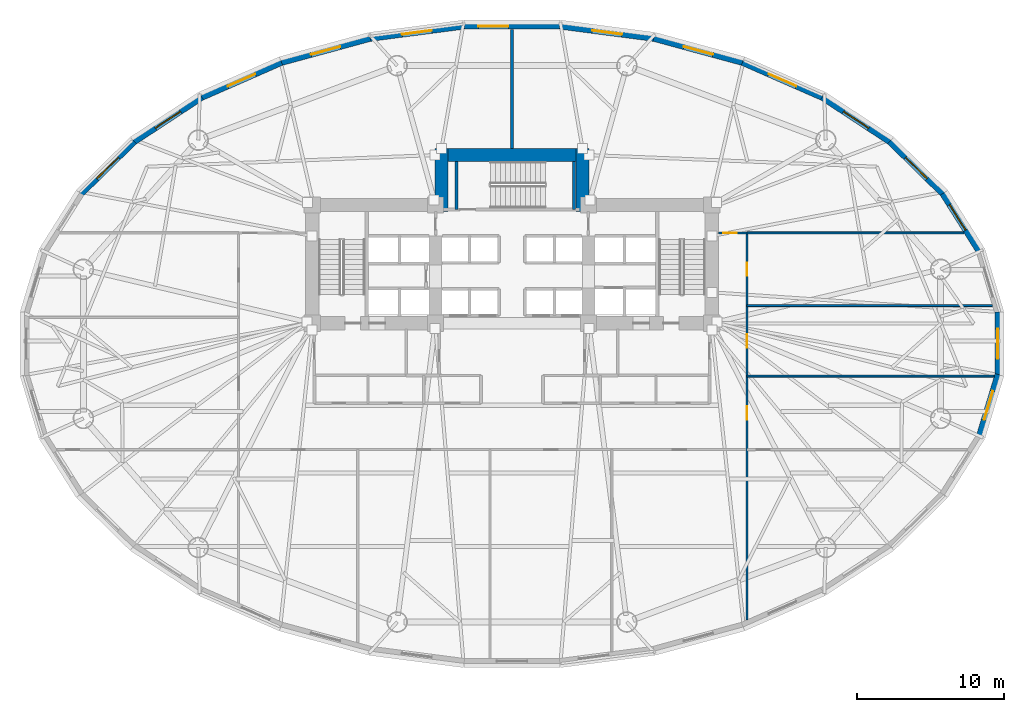
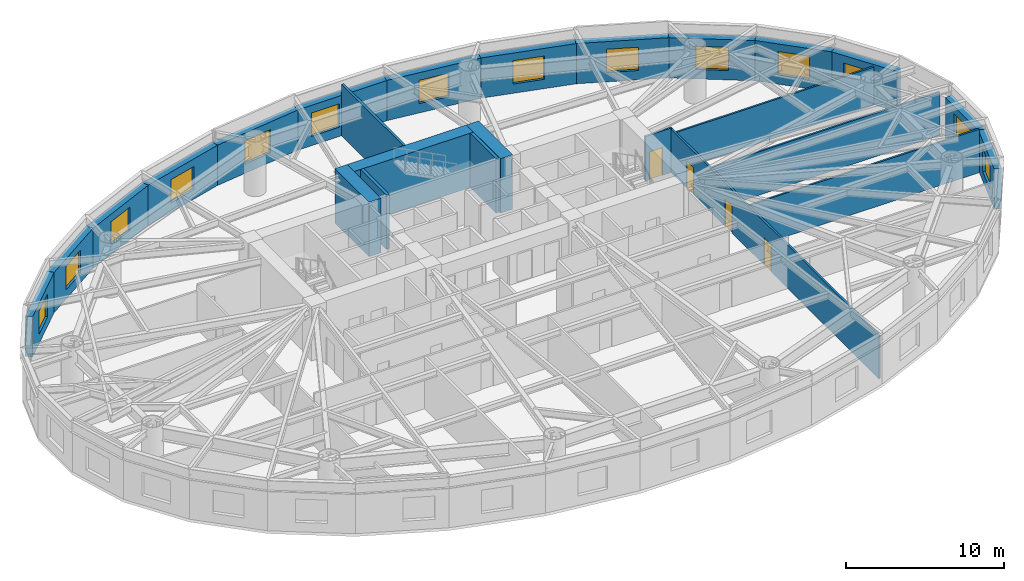
# One storey, part 8 of 14: 25 walls, 14 windows, 4 doors, 18 openings.
"""IFC4 building model written with IfcOpenShell, lengths in metres."""

from ifc_helpers import new_model, si_unit, direction, frame, frame_2d, origin, place, context, subcontext, project, spatial, rectangle, extrude, material, layer, layer_set, type_object, element, fill, save


model = new_model("IFC4")

# Units and contexts
model_context = context("Model", 3, precision=1e-05, world=origin(), true_north=direction((0.0, 1.0)))
body_context = subcontext(model_context, "Body", "Model", "MODEL_VIEW")
ifc_project = project(units=[si_unit("LENGTHUNIT", "METRE"), si_unit("AREAUNIT", "SQUARE_METRE"), si_unit("VOLUMEUNIT", "CUBIC_METRE"), si_unit("PLANEANGLEUNIT", "RADIAN"), si_unit("MASSUNIT", "GRAM", prefix="KILO")], contexts=[model_context])

# Site, building, storey
site_placement = place(None, origin())
site = spatial("IfcSite", under=ifc_project, at=site_placement, CompositionType="ELEMENT")
building_placement = place(site_placement, origin())
building = spatial("IfcBuilding", under=site, at=building_placement, Name="Keldmark Tower", CompositionType="ELEMENT")
storey_placement = place(building_placement, frame((0.0, 0.0, 18.60009765625)))
storey = spatial("IfcBuildingStorey", under=building, at=storey_placement, Name="L04", CompositionType="ELEMENT", Elevation=18.60009765625)

# Wall, openings, doors
ifc_material_1 = material(Name="Acoustic Double-Layer Gypsum Corridor Partition", Category="gypsum")
ifc_layer_1 = layer(ifc_material_1, 0.139892578125)
ifc_layer_set_1 = layer_set([ifc_layer_1], Name="Acoustic Double-Layer Gypsum Corridor Partition")
wall_type_1 = type_object("IfcWallType", Name="Acoustic Corridor Partition 140 mm", PredefinedType="PARTITIONING", material=ifc_layer_set_1)
wall_1_placement = place(storey_placement, frame((16.0, -18.778076171875, 0.0), z_axis=(0.0, 0.0, 1.0), x_axis=(0.0, 1.0, 0.0)))
wall_1 = element("IfcWall", 1, at=wall_1_placement, inside=storey, type_object=wall_type_1, Name="L04 Acoustic Corridor Partition 140 mm COR-E", PredefinedType="PARTITIONING", context=body_context, shape_type="SweptSolid", body=[
    extrude(rectangle(XDim=26.328125, YDim=0.139892578125, at=frame_2d((13.1640625, 0.0))), origin(), (0.0, 0.0, 1.0), 3.347900390625),
])
opening_1_placement = place(wall_1_placement, frame((13.62841796875, 0.0, 0.0)))
opening_1 = element("IfcOpeningElement", 2, at=opening_1_placement, cuts=wall_1, Name="Opening D-IN090", PredefinedType="OPENING", context=body_context, shape_type="SweptSolid", body=[
    extrude(rectangle(XDim=0.89990234375, YDim=2.10009765625, at=frame_2d((0.449951171875, 1.050048828125))), frame((0.0, 0.079833984375, 0.0), z_axis=(0.0, -1.0, 0.0), x_axis=(1.0, 0.0, 0.0)), (0.0, 0.0, 1.0), 0.159912109375),
])
opening_2_placement = place(wall_1_placement, frame((18.5283203125, 0.0, 0.0)))
opening_2 = element("IfcOpeningElement", 3, at=opening_2_placement, cuts=wall_1, Name="Opening D-IN090", PredefinedType="OPENING", context=body_context, shape_type="SweptSolid", body=[
    extrude(rectangle(XDim=0.89990234375, YDim=2.10009765625, at=frame_2d((0.449951171875, 1.050048828125))), frame((0.0, 0.079833984375, 0.0), z_axis=(0.0, -1.0, 0.0), x_axis=(1.0, 0.0, 0.0)), (0.0, 0.0, 1.0), 0.159912109375),
])
opening_3_placement = place(wall_1_placement, frame((23.4033203125, 0.0, 0.0)))
opening_3 = element("IfcOpeningElement", 4, at=opening_3_placement, cuts=wall_1, Name="Opening D-IN090", PredefinedType="OPENING", context=body_context, shape_type="SweptSolid", body=[
    extrude(rectangle(XDim=0.89990234375, YDim=2.10009765625, at=frame_2d((0.449951171875, 1.050048828125))), frame((0.0, 0.079833984375, 0.0), z_axis=(0.0, -1.0, 0.0), x_axis=(1.0, 0.0, 0.0)), (0.0, 0.0, 1.0), 0.159912109375),
])
ifc_material_2 = material(Name="Stained American White Oak Veneer", Category="wood")
door_type_1 = type_object("IfcDoorType", Name="Interior Door 900x2100", OperationType="NOTDEFINED", PredefinedType="DOOR", material=ifc_material_2)
door_1_placement = place(opening_1_placement, origin())
door_1 = element("IfcDoor", 5, at=door_1_placement, inside=storey, type_object=door_type_1, Name="L04 Interior Door 900x2100 D-ER-1-L04", OperationType="SINGLE_SWING_RIGHT", OverallHeight=2.10009765625, OverallWidth=0.89990234375, PredefinedType="DOOR", context=body_context, shape_type="SweptSolid", body=[
    extrude(rectangle(XDim=0.89990234375, YDim=2.10009765625, at=frame_2d((0.449951171875, 1.050048828125))), frame((0.0, 0.02490234375, 0.0), z_axis=(0.0, -1.0, 0.0), x_axis=(1.0, 0.0, 0.0)), (0.0, 0.0, 1.0), 0.050048828125),
])
fill(opening_1, door_1)
door_2_placement = place(opening_2_placement, origin())
door_2 = element("IfcDoor", 6, at=door_2_placement, inside=storey, type_object=door_type_1, Name="L04 Interior Door 900x2100 D-ER-2-L04", OperationType="SINGLE_SWING_LEFT", OverallHeight=2.10009765625, OverallWidth=0.89990234375, PredefinedType="DOOR", context=body_context, shape_type="SweptSolid", body=[
    extrude(rectangle(XDim=0.89990234375, YDim=2.10009765625, at=frame_2d((0.449951171875, 1.050048828125))), frame((0.0, 0.02490234375, 0.0), z_axis=(0.0, -1.0, 0.0), x_axis=(1.0, 0.0, 0.0)), (0.0, 0.0, 1.0), 0.050048828125),
])
fill(opening_2, door_2)
door_3_placement = place(opening_3_placement, origin())
door_3 = element("IfcDoor", 7, at=door_3_placement, inside=storey, type_object=door_type_1, Name="L04 Interior Door 900x2100 D-ER-3-L04", OperationType="SINGLE_SWING_RIGHT", OverallHeight=2.10009765625, OverallWidth=0.89990234375, PredefinedType="DOOR", context=body_context, shape_type="SweptSolid", body=[
    extrude(rectangle(XDim=0.89990234375, YDim=2.10009765625, at=frame_2d((0.449951171875, 1.050048828125))), frame((0.0, 0.02490234375, 0.0), z_axis=(0.0, -1.0, 0.0), x_axis=(1.0, 0.0, 0.0)), (0.0, 0.0, 1.0), 0.050048828125),
])
fill(opening_3, door_3)

# Wall, opening, door
wall_2_placement = place(storey_placement, frame((14.050048828125, 7.550048828125, 0.0), z_axis=(0.0, 0.0, 1.0), x_axis=(1.0, 0.0, 0.0)))
wall_2 = element("IfcWall", 8, at=wall_2_placement, inside=storey, type_object=wall_type_1, Name="L04 Acoustic Corridor Partition 140 mm COR-EN-CAP", PredefinedType="PARTITIONING", context=body_context, shape_type="SweptSolid", body=[
    extrude(rectangle(XDim=1.949951171875, YDim=0.139892578125, at=frame_2d((0.97509765625, 0.0))), origin(), (0.0, 0.0, 1.0), 3.432861328125),
])
opening_4_placement = place(wall_2_placement, frame((0.320068359375, 0.0, 0.0)))
opening_4 = element("IfcOpeningElement", 9, at=opening_4_placement, cuts=wall_2, Name="Opening D-EX092", PredefinedType="OPENING", context=body_context, shape_type="SweptSolid", body=[
    extrude(rectangle(XDim=0.919921875, YDim=2.14990234375, at=frame_2d((0.4599609375, 1.074951171875))), frame((0.0, 0.079833984375, 0.0), z_axis=(0.0, -1.0, 0.0), x_axis=(1.0, 0.0, 0.0)), (0.0, 0.0, 1.0), 0.159912109375),
])
ifc_material_3 = material(Name="Flush American Ash Executive Office Door", Category="wood")
door_type_2 = type_object("IfcDoorType", Name="Executive Office Door 920x2150", OperationType="NOTDEFINED", PredefinedType="DOOR", material=ifc_material_3)
door_4_placement = place(opening_4_placement, origin())
door_4 = element("IfcDoor", 10, at=door_4_placement, inside=storey, type_object=door_type_2, Name="L04 Executive Office Door 920x2150 D-NRNE-L04", OperationType="SINGLE_SWING_RIGHT", OverallHeight=2.14990234375, OverallWidth=0.919921875, PredefinedType="DOOR", context=body_context, shape_type="SweptSolid", body=[
    extrude(rectangle(XDim=0.919921875, YDim=2.14990234375, at=frame_2d((0.4599609375, 1.074951171875))), frame((0.0, 0.02490234375, 0.0), z_axis=(0.0, -1.0, 0.0), x_axis=(1.0, 0.0, 0.0)), (0.0, 0.0, 1.0), 0.050048828125),
])
fill(opening_4, door_4)

# Walls
ifc_material_4 = material(Name="STC-58 Insulated Tenant Demising Gypsum Partition", Category="gypsum")
ifc_layer_2 = layer(ifc_material_4, 0.175048828125)
ifc_layer_set_2 = layer_set([ifc_layer_2], Name="STC-58 Insulated Tenant Demising Gypsum Partition")
wall_type_2 = type_object("IfcWallType", Name="Demising Suite Partition 175 mm", PredefinedType="PARTITIONING", material=ifc_layer_set_2)
wall_3_placement = place(storey_placement, frame((0.0, 13.300048828125, 0.0), z_axis=(0.0, 0.0, 1.0), x_axis=(0.0, 1.0, 0.0)))
element("IfcWall", 11, at=wall_3_placement, inside=storey, type_object=wall_type_2, Name="L04 Demising Suite Partition 175 mm N-MID-DIV", PredefinedType="PARTITIONING", context=body_context, shape_type="SweptSolid", body=[
    extrude(rectangle(XDim=8.10595703125, YDim=0.175048828125, at=frame_2d((4.052978515625, 0.0))), origin(), (0.0, 0.0, 1.0), 3.97998046875),
])
ifc_material_5 = material(Name="Acoustic Gypsum Board Interior Partition", Category="gypsum")
ifc_layer_3 = layer(ifc_material_5, 0.1298828125)
ifc_layer_set_3 = layer_set([ifc_layer_3], Name="Acoustic Gypsum Board Interior Partition")
wall_type_3 = type_object("IfcWallType", Name="Interior Partition 130 mm", PredefinedType="PARTITIONING", material=ifc_layer_set_3)
wall_4_placement = place(storey_placement, frame((16.0, 7.550048828125, 0.0), z_axis=(0.0, 0.0, 1.0), x_axis=(1.0, 0.0, 0.0)))
element("IfcWall", 12, at=wall_4_placement, inside=storey, type_object=wall_type_3, Name="L04 Interior Partition 130 mm E-CAP-N", PredefinedType="PARTITIONING", context=body_context, shape_type="SweptSolid", body=[
    extrude(rectangle(XDim=14.74658203125, YDim=0.1298828125, at=frame_2d((7.373291015625, 0.0))), origin(), (0.0, 0.0, 1.0), 2.9580078125),
])
wall_5_placement = place(storey_placement, frame((16.0, -2.199951171875, 0.0), z_axis=(0.0, 0.0, 1.0), x_axis=(1.0, 0.0, 0.0)))
element("IfcWall", 13, at=wall_5_placement, inside=storey, type_object=wall_type_3, Name="L04 Interior Partition 130 mm E-DIV-1", PredefinedType="PARTITIONING", context=body_context, shape_type="SweptSolid", body=[
    extrude(rectangle(XDim=16.815673828125, YDim=0.1298828125, at=frame_2d((8.40771484375, 0.0))), origin(), (0.0, 0.0, 1.0), 3.347900390625),
])
wall_6_placement = place(storey_placement, frame((16.0, 2.60009765625, 0.0), z_axis=(0.0, 0.0, 1.0), x_axis=(1.0, 0.0, 0.0)))
element("IfcWall", 14, at=wall_6_placement, inside=storey, type_object=wall_type_3, Name="L04 Interior Partition 130 mm E-DIV-2", PredefinedType="PARTITIONING", context=body_context, shape_type="SweptSolid", body=[
    extrude(rectangle(XDim=16.6943359375, YDim=0.1298828125, at=frame_2d((8.34716796875, 0.0))), origin(), (0.0, 0.0, 1.0), 3.347900390625),
])
ifc_material_6 = material(Name="Concrete C70/85", Category="concrete")
ifc_layer_4 = layer(ifc_material_6, 0.89990234375)
ifc_layer_set_4 = layer_set([ifc_layer_4], Name="Concrete C70/85")
wall_type_4 = type_object("IfcWallType", Name="Lower Core Shear Wall 900 mm", PredefinedType="SHEAR", material=ifc_layer_set_4)
wall_7_placement = place(storey_placement, frame((-5.25, 12.85009765625, 0.0), z_axis=(0.0, 0.0, 1.0), x_axis=(1.0, 0.0, 0.0)))
element("IfcWall", 15, at=wall_7_placement, inside=storey, type_object=wall_type_4, Name="L04 North Core Shear Wall", PredefinedType="SHEAR", context=body_context, shape_type="SweptSolid", body=[
    extrude(rectangle(XDim=10.5, YDim=0.89990234375, at=frame_2d((5.25, 0.0))), origin(), (0.0, 0.0, 1.0), 4.199951171875),
])
for number, where, z_axis, x_axis, name in (
    (16, (-4.800048828125, 9.0, 0.0), (0.0, 0.0, 1.0), (0.0, 1.0, 0.0), "L04 North Core West Shear Wall"),
    (17, (4.800048828125, 9.0, 0.0), (0.0, 0.0, 1.0), (0.0, 1.0, 0.0), "L04 North Core East Shear Wall"),
):
    element("IfcWall", number, at=place(storey_placement, frame(where, z_axis=z_axis, x_axis=x_axis)), inside=storey, type_object=wall_type_4, Name=name, PredefinedType="SHEAR", context=body_context, shape_type="SweptSolid", body=[
        extrude(rectangle(XDim=4.300048828125, YDim=0.89990234375, at=frame_2d((2.14990234375, 0.0))), origin(), (0.0, 0.0, 1.0), 4.199951171875),
    ])

# Wall, opening, window
ifc_material_7 = material(Name="Ironspot Manganese Brick and Kasota Buff Limestone Cavity Assembly", Category="masonry")
ifc_layer_5 = layer(ifc_material_7, 0.47998046875)
ifc_layer_set_5 = layer_set([ifc_layer_5], Name="Ironspot Manganese Brick and Kasota Buff Limestone Cavity Assembly")
wall_type_5 = type_object("IfcWallType", Name="Podium Brick and Limestone Cavity Wall 480 mm", PredefinedType="STANDARD", material=ifc_layer_set_5)
wall_8_placement = place(storey_placement, frame((29.34130859375, 10.24267578125, 0.0), z_axis=(0.0, 0.0, 1.0), x_axis=(0.53349762721, -0.845801561693, 0.0)))
wall_8 = element("IfcWall", 18, at=wall_8_placement, inside=storey, type_object=wall_type_5, Name="L04 Exterior Brick and Spandrel Wall 02", PredefinedType="STANDARD", context=body_context, shape_type="SweptSolid", body=[
    extrude(rectangle(XDim=4.710693359375, YDim=0.47998046875, at=frame_2d((2.35546875, 0.0))), origin(), (0.0, 0.0, 1.0), 3.10888671875),
])
opening_5_placement = place(wall_8_placement, frame((0.88818359375, 0.0, 0.719970703125)))
opening_5 = element("IfcOpeningElement", 19, at=opening_5_placement, cuts=wall_8, Name="Opening W-07", PredefinedType="OPENING", context=body_context, shape_type="SweptSolid", body=[
    extrude(rectangle(XDim=2.050048828125, YDim=1.800048828125, at=frame_2d((1.02490234375, 0.89990234375))), frame((0.0, 0.25, 0.0), z_axis=(0.0, -1.0, 0.0), x_axis=(1.0, 0.0, 0.0)), (0.0, 0.0, 1.0), 0.5),
])
ifc_material_8 = material(Name="Thermally Broken Anodized Aluminum and Triple Low-E Argon Glazing", Category="aluminium")
window_type = type_object("IfcWindowType", Name="Podium Mezzanine Punched Window 2050x1800", PartitioningType="DOUBLE_PANEL_VERTICAL", PredefinedType="WINDOW", material=ifc_material_8)
window_1_placement = place(opening_5_placement, origin())
window_1 = element("IfcWindow", 20, at=window_1_placement, inside=storey, type_object=window_type, Name="L04 Deep-Set Window 02", OverallHeight=1.800048828125, OverallWidth=2.050048828125, PartitioningType="SINGLE_PANEL", PredefinedType="WINDOW", context=body_context, shape_type="SweptSolid", body=[
    extrude(rectangle(XDim=2.050048828125, YDim=1.800048828125, at=frame_2d((1.02490234375, 0.89990234375))), frame((0.0, -0.010009765625, 0.0), z_axis=(0.0, -1.0, 0.0), x_axis=(1.0, 0.0, 0.0)), (0.0, 0.0, 1.0), 0.06005859375),
])
fill(opening_5, window_1)

wall_9_placement = place(storey_placement, frame((25.727783203125, 13.785400390625, 0.0), z_axis=(0.0, 0.0, 1.0), x_axis=(0.713189080178, -0.700971708355, 0.0)))
wall_9 = element("IfcWall", 21, at=wall_9_placement, inside=storey, type_object=wall_type_5, Name="L04 Exterior Brick and Spandrel Wall 03", PredefinedType="STANDARD", context=body_context, shape_type="SweptSolid", body=[
    extrude(rectangle(XDim=5.11572265625, YDim=0.47998046875, at=frame_2d((2.557861328125, 0.0))), origin(), (0.0, 0.0, 1.0), 3.10888671875),
])
opening_6_placement = place(wall_9_placement, frame((1.532958984375, 0.0, 0.719970703125)))
opening_6 = element("IfcOpeningElement", 22, at=opening_6_placement, cuts=wall_9, Name="Opening W-07", PredefinedType="OPENING", context=body_context, shape_type="SweptSolid", body=[
    extrude(rectangle(XDim=2.050048828125, YDim=1.800048828125, at=frame_2d((1.02490234375, 0.89990234375))), frame((0.0, 0.25, 0.0), z_axis=(0.0, -1.0, 0.0), x_axis=(1.0, 0.0, 0.0)), (0.0, 0.0, 1.0), 0.5),
])
window_2_placement = place(opening_6_placement, origin())
window_2 = element("IfcWindow", 23, at=window_2_placement, inside=storey, type_object=window_type, Name="L04 Deep-Set Window 03", OverallHeight=1.800048828125, OverallWidth=2.050048828125, PartitioningType="SINGLE_PANEL", PredefinedType="WINDOW", context=body_context, shape_type="SweptSolid", body=[
    extrude(rectangle(XDim=2.050048828125, YDim=1.800048828125, at=frame_2d((1.02490234375, 0.89990234375))), frame((0.0, -0.010009765625, 0.0), z_axis=(0.0, -1.0, 0.0), x_axis=(1.0, 0.0, 0.0)), (0.0, 0.0, 1.0), 0.06005859375),
])
fill(opening_6, window_2)

wall_10_placement = place(storey_placement, frame((21.12060546875, 16.8056640625, 0.0), z_axis=(0.0, 0.0, 1.0), x_axis=(0.835863918172, -0.548936708827, 0.0)))
wall_10 = element("IfcWall", 24, at=wall_10_placement, inside=storey, type_object=wall_type_5, Name="L04 Exterior Brick and Spandrel Wall 04", PredefinedType="STANDARD", context=body_context, shape_type="SweptSolid", body=[
    extrude(rectangle(XDim=5.555419921875, YDim=0.47998046875, at=frame_2d((2.77783203125, 0.0))), origin(), (0.0, 0.0, 1.0), 3.10888671875),
])
opening_7_placement = place(wall_10_placement, frame((1.752685546875, 0.0, 0.719970703125)))
opening_7 = element("IfcOpeningElement", 25, at=opening_7_placement, cuts=wall_10, Name="Opening W-07", PredefinedType="OPENING", context=body_context, shape_type="SweptSolid", body=[
    extrude(rectangle(XDim=2.050048828125, YDim=1.800048828125, at=frame_2d((1.02490234375, 0.89990234375))), frame((0.0, 0.25, 0.0), z_axis=(0.0, -1.0, 0.0), x_axis=(1.0, 0.0, 0.0)), (0.0, 0.0, 1.0), 0.5),
])
window_3_placement = place(opening_7_placement, origin())
window_3 = element("IfcWindow", 26, at=window_3_placement, inside=storey, type_object=window_type, Name="L04 Deep-Set Window 04", OverallHeight=1.800048828125, OverallWidth=2.050048828125, PartitioningType="SINGLE_PANEL", PredefinedType="WINDOW", context=body_context, shape_type="SweptSolid", body=[
    extrude(rectangle(XDim=2.050048828125, YDim=1.800048828125, at=frame_2d((1.02490234375, 0.89990234375))), frame((0.0, -0.010009765625, 0.0), z_axis=(0.0, -1.0, 0.0), x_axis=(1.0, 0.0, 0.0)), (0.0, 0.0, 1.0), 0.06005859375),
])
fill(opening_7, window_3)

wall_11_placement = place(storey_placement, frame((15.6953125, 19.1826171875, 0.0), z_axis=(0.0, 0.0, 1.0), x_axis=(0.91570760638, -0.401845218484, 0.0)))
wall_11 = element("IfcWall", 27, at=wall_11_placement, inside=storey, type_object=wall_type_5, Name="L04 Exterior Brick and Spandrel Wall 05", PredefinedType="STANDARD", context=body_context, shape_type="SweptSolid", body=[
    extrude(rectangle(XDim=5.963134765625, YDim=0.47998046875, at=frame_2d((2.9814453125, 0.0))), origin(), (0.0, 0.0, 1.0), 3.10888671875),
])
opening_8_placement = place(wall_11_placement, frame((1.95654296875, 0.0, 0.719970703125)))
opening_8 = element("IfcOpeningElement", 28, at=opening_8_placement, cuts=wall_11, Name="Opening W-07", PredefinedType="OPENING", context=body_context, shape_type="SweptSolid", body=[
    extrude(rectangle(XDim=2.050048828125, YDim=1.800048828125, at=frame_2d((1.02490234375, 0.89990234375))), frame((0.0, 0.25, 0.0), z_axis=(0.0, -1.0, 0.0), x_axis=(1.0, 0.0, 0.0)), (0.0, 0.0, 1.0), 0.5),
])
window_4_placement = place(opening_8_placement, origin())
window_4 = element("IfcWindow", 29, at=window_4_placement, inside=storey, type_object=window_type, Name="L04 Deep-Set Window 05", OverallHeight=1.800048828125, OverallWidth=2.050048828125, PartitioningType="SINGLE_PANEL", PredefinedType="WINDOW", context=body_context, shape_type="SweptSolid", body=[
    extrude(rectangle(XDim=2.050048828125, YDim=1.800048828125, at=frame_2d((1.02490234375, 0.89990234375))), frame((0.0, -0.010009765625, 0.0), z_axis=(0.0, -1.0, 0.0), x_axis=(1.0, 0.0, 0.0)), (0.0, 0.0, 1.0), 0.06005859375),
])
fill(opening_8, window_4)

wall_12_placement = place(storey_placement, frame((9.66162109375, 20.821044921875, 0.0), z_axis=(0.0, 0.0, 1.0), x_axis=(0.964936550718, -0.262483243445, 0.0)))
wall_12 = element("IfcWall", 30, at=wall_12_placement, inside=storey, type_object=wall_type_5, Name="L04 Exterior Brick and Spandrel Wall 06", PredefinedType="STANDARD", context=body_context, shape_type="SweptSolid", body=[
    extrude(rectangle(XDim=6.28759765625, YDim=0.47998046875, at=frame_2d((3.143798828125, 0.0))), origin(), (0.0, 0.0, 1.0), 3.10888671875),
])
opening_9_placement = place(wall_12_placement, frame((2.118896484375, 0.0, 0.719970703125)))
opening_9 = element("IfcOpeningElement", 31, at=opening_9_placement, cuts=wall_12, Name="Opening W-07", PredefinedType="OPENING", context=body_context, shape_type="SweptSolid", body=[
    extrude(rectangle(XDim=2.050048828125, YDim=1.800048828125, at=frame_2d((1.02490234375, 0.89990234375))), frame((0.0, 0.25, 0.0), z_axis=(0.0, -1.0, 0.0), x_axis=(1.0, 0.0, 0.0)), (0.0, 0.0, 1.0), 0.5),
])
window_5_placement = place(opening_9_placement, origin())
window_5 = element("IfcWindow", 32, at=window_5_placement, inside=storey, type_object=window_type, Name="L04 Deep-Set Window 06", OverallHeight=1.800048828125, OverallWidth=2.050048828125, PartitioningType="SINGLE_PANEL", PredefinedType="WINDOW", context=body_context, shape_type="SweptSolid", body=[
    extrude(rectangle(XDim=2.050048828125, YDim=1.800048828125, at=frame_2d((1.02490234375, 0.89990234375))), frame((0.0, -0.010009765625, 0.0), z_axis=(0.0, -1.0, 0.0), x_axis=(1.0, 0.0, 0.0)), (0.0, 0.0, 1.0), 0.06005859375),
])
fill(opening_9, window_5)

wall_13_placement = place(storey_placement, frame((3.25244140625, 21.656005859375, 0.0), z_axis=(0.0, 0.0, 1.0), x_axis=(0.991576921472, -0.129519144545, 0.0)))
wall_13 = element("IfcWall", 33, at=wall_13_placement, inside=storey, type_object=wall_type_5, Name="L04 Exterior Brick and Spandrel Wall 07", PredefinedType="STANDARD", context=body_context, shape_type="SweptSolid", body=[
    extrude(rectangle(XDim=6.49560546875, YDim=0.47998046875, at=frame_2d((3.247802734375, 0.0))), origin(), (0.0, 0.0, 1.0), 3.10888671875),
])
opening_10_placement = place(wall_13_placement, frame((2.222900390625, 0.0, 0.719970703125)))
opening_10 = element("IfcOpeningElement", 34, at=opening_10_placement, cuts=wall_13, Name="Opening W-07", PredefinedType="OPENING", context=body_context, shape_type="SweptSolid", body=[
    extrude(rectangle(XDim=2.050048828125, YDim=1.800048828125, at=frame_2d((1.02490234375, 0.89990234375))), frame((0.0, 0.25, 0.0), z_axis=(0.0, -1.0, 0.0), x_axis=(1.0, 0.0, 0.0)), (0.0, 0.0, 1.0), 0.5),
])
window_6_placement = place(opening_10_placement, origin())
window_6 = element("IfcWindow", 35, at=window_6_placement, inside=storey, type_object=window_type, Name="L04 Deep-Set Window 07", OverallHeight=1.800048828125, OverallWidth=2.050048828125, PartitioningType="SINGLE_PANEL", PredefinedType="WINDOW", context=body_context, shape_type="SweptSolid", body=[
    extrude(rectangle(XDim=2.050048828125, YDim=1.800048828125, at=frame_2d((1.02490234375, 0.89990234375))), frame((0.0, -0.010009765625, 0.0), z_axis=(0.0, -1.0, 0.0), x_axis=(1.0, 0.0, 0.0)), (0.0, 0.0, 1.0), 0.06005859375),
])
fill(opening_10, window_6)

wall_14_placement = place(storey_placement, frame((-3.28369140625, 21.654052734375, 0.0), z_axis=(0.0, 0.0, 1.0), x_axis=(1.0, 0.0, 0.0)))
wall_14 = element("IfcWall", 36, at=wall_14_placement, inside=storey, type_object=wall_type_5, Name="L04 Exterior Brick and Spandrel Wall 08", PredefinedType="STANDARD", context=body_context, shape_type="SweptSolid", body=[
    extrude(rectangle(XDim=6.5673828125, YDim=0.47998046875, at=frame_2d((3.28369140625, 0.0))), origin(), (0.0, 0.0, 1.0), 3.10888671875),
])
opening_11_placement = place(wall_14_placement, frame((0.99365234375, 0.0, 0.719970703125)))
opening_11 = element("IfcOpeningElement", 37, at=opening_11_placement, cuts=wall_14, Name="Opening W-07", PredefinedType="OPENING", context=body_context, shape_type="SweptSolid", body=[
    extrude(rectangle(XDim=2.050048828125, YDim=1.800048828125, at=frame_2d((1.02490234375, 0.89990234375))), frame((0.0, 0.25, 0.0), z_axis=(0.0, -1.0, 0.0), x_axis=(1.0, 0.0, 0.0)), (0.0, 0.0, 1.0), 0.5),
])
window_7_placement = place(opening_11_placement, origin())
window_7 = element("IfcWindow", 38, at=window_7_placement, inside=storey, type_object=window_type, Name="L04 Deep-Set Window 08", OverallHeight=1.800048828125, OverallWidth=2.050048828125, PartitioningType="SINGLE_PANEL", PredefinedType="WINDOW", context=body_context, shape_type="SweptSolid", body=[
    extrude(rectangle(XDim=2.050048828125, YDim=1.800048828125, at=frame_2d((1.02490234375, 0.89990234375))), frame((0.0, -0.010009765625, 0.0), z_axis=(0.0, -1.0, 0.0), x_axis=(1.0, 0.0, 0.0)), (0.0, 0.0, 1.0), 0.06005859375),
])
fill(opening_11, window_7)

wall_15_placement = place(storey_placement, frame((-9.693359375, 20.814697265625, 0.0), z_axis=(0.0, 0.0, 1.0), x_axis=(0.991576921472, 0.129519144545, 0.0)))
wall_15 = element("IfcWall", 39, at=wall_15_placement, inside=storey, type_object=wall_type_5, Name="L04 Exterior Brick and Spandrel Wall 09", PredefinedType="STANDARD", context=body_context, shape_type="SweptSolid", body=[
    extrude(rectangle(XDim=6.49560546875, YDim=0.47998046875, at=frame_2d((3.247802734375, 0.0))), origin(), (0.0, 0.0, 1.0), 3.10888671875),
])
opening_12_placement = place(wall_15_placement, frame((2.222900390625, 0.0, 0.719970703125)))
opening_12 = element("IfcOpeningElement", 40, at=opening_12_placement, cuts=wall_15, Name="Opening W-07", PredefinedType="OPENING", context=body_context, shape_type="SweptSolid", body=[
    extrude(rectangle(XDim=2.050048828125, YDim=1.800048828125, at=frame_2d((1.02490234375, 0.89990234375))), frame((0.0, 0.25, 0.0), z_axis=(0.0, -1.0, 0.0), x_axis=(1.0, 0.0, 0.0)), (0.0, 0.0, 1.0), 0.5),
])
window_8_placement = place(opening_12_placement, origin())
window_8 = element("IfcWindow", 41, at=window_8_placement, inside=storey, type_object=window_type, Name="L04 Deep-Set Window 09", OverallHeight=1.800048828125, OverallWidth=2.050048828125, PartitioningType="SINGLE_PANEL", PredefinedType="WINDOW", context=body_context, shape_type="SweptSolid", body=[
    extrude(rectangle(XDim=2.050048828125, YDim=1.800048828125, at=frame_2d((1.02490234375, 0.89990234375))), frame((0.0, -0.010009765625, 0.0), z_axis=(0.0, -1.0, 0.0), x_axis=(1.0, 0.0, 0.0)), (0.0, 0.0, 1.0), 0.06005859375),
])
fill(opening_12, window_8)

wall_16_placement = place(storey_placement, frame((-15.728759765625, 19.170654296875, 0.0), z_axis=(0.0, 0.0, 1.0), x_axis=(0.964936550718, 0.262483243445, 0.0)))
wall_16 = element("IfcWall", 42, at=wall_16_placement, inside=storey, type_object=wall_type_5, Name="L04 Exterior Brick and Spandrel Wall 10", PredefinedType="STANDARD", context=body_context, shape_type="SweptSolid", body=[
    extrude(rectangle(XDim=6.28759765625, YDim=0.47998046875, at=frame_2d((3.143798828125, 0.0))), origin(), (0.0, 0.0, 1.0), 3.10888671875),
])
opening_13_placement = place(wall_16_placement, frame((2.118896484375, 0.0, 0.719970703125)))
opening_13 = element("IfcOpeningElement", 43, at=opening_13_placement, cuts=wall_16, Name="Opening W-07", PredefinedType="OPENING", context=body_context, shape_type="SweptSolid", body=[
    extrude(rectangle(XDim=2.050048828125, YDim=1.800048828125, at=frame_2d((1.02490234375, 0.89990234375))), frame((0.0, 0.25, 0.0), z_axis=(0.0, -1.0, 0.0), x_axis=(1.0, 0.0, 0.0)), (0.0, 0.0, 1.0), 0.5),
])
window_9_placement = place(opening_13_placement, origin())
window_9 = element("IfcWindow", 44, at=window_9_placement, inside=storey, type_object=window_type, Name="L04 Deep-Set Window 10", OverallHeight=1.800048828125, OverallWidth=2.050048828125, PartitioningType="SINGLE_PANEL", PredefinedType="WINDOW", context=body_context, shape_type="SweptSolid", body=[
    extrude(rectangle(XDim=2.050048828125, YDim=1.800048828125, at=frame_2d((1.02490234375, 0.89990234375))), frame((0.0, -0.010009765625, 0.0), z_axis=(0.0, -1.0, 0.0), x_axis=(1.0, 0.0, 0.0)), (0.0, 0.0, 1.0), 0.06005859375),
])
fill(opening_13, window_9)

wall_17_placement = place(storey_placement, frame((-21.15576171875, 16.786376953125, 0.0), z_axis=(0.0, 0.0, 1.0), x_axis=(0.91570760638, 0.401845218484, 0.0)))
wall_17 = element("IfcWall", 45, at=wall_17_placement, inside=storey, type_object=wall_type_5, Name="L04 Exterior Brick and Spandrel Wall 11", PredefinedType="STANDARD", context=body_context, shape_type="SweptSolid", body=[
    extrude(rectangle(XDim=5.963134765625, YDim=0.47998046875, at=frame_2d((2.9814453125, 0.0))), origin(), (0.0, 0.0, 1.0), 3.10888671875),
])
opening_14_placement = place(wall_17_placement, frame((1.95654296875, 0.0, 0.719970703125)))
opening_14 = element("IfcOpeningElement", 46, at=opening_14_placement, cuts=wall_17, Name="Opening W-07", PredefinedType="OPENING", context=body_context, shape_type="SweptSolid", body=[
    extrude(rectangle(XDim=2.050048828125, YDim=1.800048828125, at=frame_2d((1.02490234375, 0.89990234375))), frame((0.0, 0.25, 0.0), z_axis=(0.0, -1.0, 0.0), x_axis=(1.0, 0.0, 0.0)), (0.0, 0.0, 1.0), 0.5),
])
window_10_placement = place(opening_14_placement, origin())
window_10 = element("IfcWindow", 47, at=window_10_placement, inside=storey, type_object=window_type, Name="L04 Deep-Set Window 11", OverallHeight=1.800048828125, OverallWidth=2.050048828125, PartitioningType="SINGLE_PANEL", PredefinedType="WINDOW", context=body_context, shape_type="SweptSolid", body=[
    extrude(rectangle(XDim=2.050048828125, YDim=1.800048828125, at=frame_2d((1.02490234375, 0.89990234375))), frame((0.0, -0.010009765625, 0.0), z_axis=(0.0, -1.0, 0.0), x_axis=(1.0, 0.0, 0.0)), (0.0, 0.0, 1.0), 0.06005859375),
])
fill(opening_14, window_10)

wall_18_placement = place(storey_placement, frame((-25.76416015625, 13.756103515625, 0.0), z_axis=(0.0, 0.0, 1.0), x_axis=(0.835863918172, 0.548936708827, 0.0)))
wall_18 = element("IfcWall", 48, at=wall_18_placement, inside=storey, type_object=wall_type_5, Name="L04 Exterior Brick and Spandrel Wall 12", PredefinedType="STANDARD", context=body_context, shape_type="SweptSolid", body=[
    extrude(rectangle(XDim=5.555419921875, YDim=0.47998046875, at=frame_2d((2.77783203125, 0.0))), origin(), (0.0, 0.0, 1.0), 3.10888671875),
])
opening_15_placement = place(wall_18_placement, frame((1.752685546875, 0.0, 0.719970703125)))
opening_15 = element("IfcOpeningElement", 49, at=opening_15_placement, cuts=wall_18, Name="Opening W-07", PredefinedType="OPENING", context=body_context, shape_type="SweptSolid", body=[
    extrude(rectangle(XDim=2.050048828125, YDim=1.800048828125, at=frame_2d((1.02490234375, 0.89990234375))), frame((0.0, 0.25, 0.0), z_axis=(0.0, -1.0, 0.0), x_axis=(1.0, 0.0, 0.0)), (0.0, 0.0, 1.0), 0.5),
])
window_11_placement = place(opening_15_placement, origin())
window_11 = element("IfcWindow", 50, at=window_11_placement, inside=storey, type_object=window_type, Name="L04 Deep-Set Window 12", OverallHeight=1.800048828125, OverallWidth=2.050048828125, PartitioningType="SINGLE_PANEL", PredefinedType="WINDOW", context=body_context, shape_type="SweptSolid", body=[
    extrude(rectangle(XDim=2.050048828125, YDim=1.800048828125, at=frame_2d((1.02490234375, 0.89990234375))), frame((0.0, -0.010009765625, 0.0), z_axis=(0.0, -1.0, 0.0), x_axis=(1.0, 0.0, 0.0)), (0.0, 0.0, 1.0), 0.06005859375),
])
fill(opening_15, window_11)

wall_19_placement = place(storey_placement, frame((-29.376220703125, 10.199462890625, 0.0), z_axis=(0.0, 0.0, 1.0), x_axis=(0.713189080178, 0.700971708355, 0.0)))
wall_19 = element("IfcWall", 51, at=wall_19_placement, inside=storey, type_object=wall_type_5, Name="L04 Exterior Brick and Spandrel Wall 13", PredefinedType="STANDARD", context=body_context, shape_type="SweptSolid", body=[
    extrude(rectangle(XDim=5.11572265625, YDim=0.47998046875, at=frame_2d((2.557861328125, 0.0))), origin(), (0.0, 0.0, 1.0), 3.10888671875),
])
opening_16_placement = place(wall_19_placement, frame((1.532958984375, 0.0, 0.719970703125)))
opening_16 = element("IfcOpeningElement", 52, at=opening_16_placement, cuts=wall_19, Name="Opening W-07", PredefinedType="OPENING", context=body_context, shape_type="SweptSolid", body=[
    extrude(rectangle(XDim=2.050048828125, YDim=1.800048828125, at=frame_2d((1.02490234375, 0.89990234375))), frame((0.0, 0.25, 0.0), z_axis=(0.0, -1.0, 0.0), x_axis=(1.0, 0.0, 0.0)), (0.0, 0.0, 1.0), 0.5),
])
window_12_placement = place(opening_16_placement, origin())
window_12 = element("IfcWindow", 53, at=window_12_placement, inside=storey, type_object=window_type, Name="L04 Deep-Set Window 13", OverallHeight=1.800048828125, OverallWidth=2.050048828125, PartitioningType="SINGLE_PANEL", PredefinedType="WINDOW", context=body_context, shape_type="SweptSolid", body=[
    extrude(rectangle(XDim=2.050048828125, YDim=1.800048828125, at=frame_2d((1.02490234375, 0.89990234375))), frame((0.0, -0.010009765625, 0.0), z_axis=(0.0, -1.0, 0.0), x_axis=(1.0, 0.0, 0.0)), (0.0, 0.0, 1.0), 0.06005859375),
])
fill(opening_16, window_12)

wall_20_placement = place(storey_placement, frame((33.10888671875, -2.0869140625, 0.0), z_axis=(0.0, 0.0, 1.0), x_axis=(-0.289855603468, -0.957070388811, 0.0)))
wall_20 = element("IfcWall", 54, at=wall_20_placement, inside=storey, type_object=wall_type_5, Name="L04 Exterior Brick and Spandrel Wall 31", PredefinedType="STANDARD", context=body_context, shape_type="SweptSolid", body=[
    extrude(rectangle(XDim=4.41943359375, YDim=0.47998046875, at=frame_2d((2.209716796875, 0.0))), origin(), (0.0, 0.0, 1.0), 3.10888671875),
])
opening_17_placement = place(wall_20_placement, frame((1.184814453125, 0.0, 0.719970703125)))
opening_17 = element("IfcOpeningElement", 55, at=opening_17_placement, cuts=wall_20, Name="Opening W-07", PredefinedType="OPENING", context=body_context, shape_type="SweptSolid", body=[
    extrude(rectangle(XDim=2.050048828125, YDim=1.800048828125, at=frame_2d((1.02490234375, 0.89990234375))), frame((0.0, 0.25, 0.0), z_axis=(0.0, -1.0, 0.0), x_axis=(1.0, 0.0, 0.0)), (0.0, 0.0, 1.0), 0.5),
])
window_13_placement = place(opening_17_placement, origin())
window_13 = element("IfcWindow", 56, at=window_13_placement, inside=storey, type_object=window_type, Name="L04 Deep-Set Window 31", OverallHeight=1.800048828125, OverallWidth=2.050048828125, PartitioningType="SINGLE_PANEL", PredefinedType="WINDOW", context=body_context, shape_type="SweptSolid", body=[
    extrude(rectangle(XDim=2.050048828125, YDim=1.800048828125, at=frame_2d((1.02490234375, 0.89990234375))), frame((0.0, -0.010009765625, 0.0), z_axis=(0.0, -1.0, 0.0), x_axis=(1.0, 0.0, 0.0)), (0.0, 0.0, 1.0), 0.06005859375),
])
fill(opening_17, window_13)

wall_21_placement = place(storey_placement, frame((33.0986328125, 2.156494140625, 0.0), z_axis=(0.0, 0.0, 1.0), x_axis=(0.0, -1.0, 0.0)))
wall_21 = element("IfcWall", 57, at=wall_21_placement, inside=storey, type_object=wall_type_5, Name="L04 Exterior Brick and Spandrel Wall 32", PredefinedType="STANDARD", context=body_context, shape_type="SweptSolid", body=[
    extrude(rectangle(XDim=4.31298828125, YDim=0.47998046875, at=frame_2d((2.156494140625, 0.0))), origin(), (0.0, 0.0, 1.0), 3.10888671875),
])
opening_18_placement = place(wall_21_placement, frame((1.13134765625, 0.0, 0.719970703125)))
opening_18 = element("IfcOpeningElement", 58, at=opening_18_placement, cuts=wall_21, Name="Opening W-07", PredefinedType="OPENING", context=body_context, shape_type="SweptSolid", body=[
    extrude(rectangle(XDim=2.050048828125, YDim=1.800048828125, at=frame_2d((1.02490234375, 0.89990234375))), frame((0.0, 0.25, 0.0), z_axis=(0.0, -1.0, 0.0), x_axis=(1.0, 0.0, 0.0)), (0.0, 0.0, 1.0), 0.5),
])
window_14_placement = place(opening_18_placement, origin())
window_14 = element("IfcWindow", 59, at=window_14_placement, inside=storey, type_object=window_type, Name="L04 Deep-Set Window 32", OverallHeight=1.800048828125, OverallWidth=2.050048828125, PartitioningType="SINGLE_PANEL", PredefinedType="WINDOW", context=body_context, shape_type="SweptSolid", body=[
    extrude(rectangle(XDim=2.050048828125, YDim=1.800048828125, at=frame_2d((1.02490234375, 0.89990234375))), frame((0.0, -0.010009765625, 0.0), z_axis=(0.0, -1.0, 0.0), x_axis=(1.0, 0.0, 0.0)), (0.0, 0.0, 1.0), 0.06005859375),
])
fill(opening_18, window_14)

# Walls
ifc_material_9 = material(Name="Concrete C50/60", Category="concrete")
ifc_layer_6 = layer(ifc_material_9, 0.219970703125)
ifc_layer_set_6 = layer_set([ifc_layer_6], Name="Concrete C50/60")
wall_type_6 = type_object("IfcWallType", Name="Stair Core Shear Wall 220 mm", PredefinedType="SHEAR", material=ifc_layer_set_6)
for number, where, z_axis, x_axis, name in (
    (60, (-3.784912109375, 9.139892578125, 0.0), (0.0, 0.0, 1.0), (0.0, 1.0, 0.0), "L04 Central Stair Core West Shear Wall"),
    (61, (4.215087890625, 9.139892578125, 0.0), (0.0, 0.0, 1.0), (0.0, 1.0, 0.0), "L04 Central Stair Core East Shear Wall"),
):
    element("IfcWall", number, at=place(storey_placement, frame(where, z_axis=z_axis, x_axis=x_axis)), inside=storey, type_object=wall_type_6, Name=name, PredefinedType="SHEAR", context=body_context, shape_type="SweptSolid", body=[
        extrude(rectangle(XDim=3.260009765625, YDim=0.219970703125, at=frame_2d((1.6298828125, 0.0))), origin(), (0.0, 0.0, 1.0), 4.199951171875),
    ])

save(model, "model.ifc")
